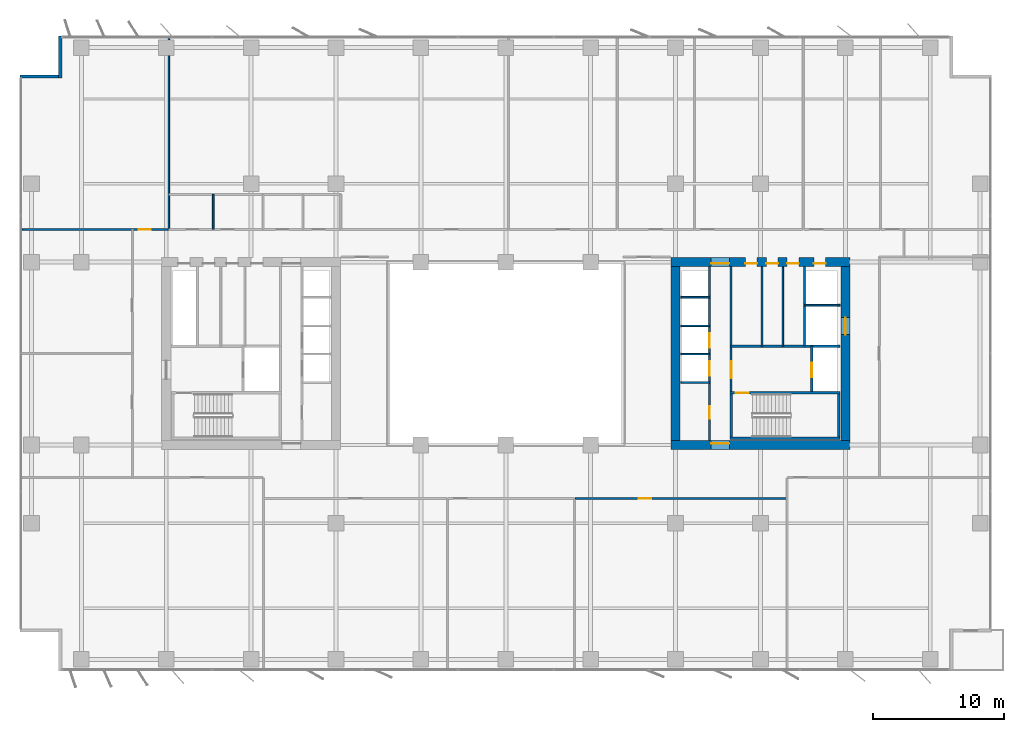
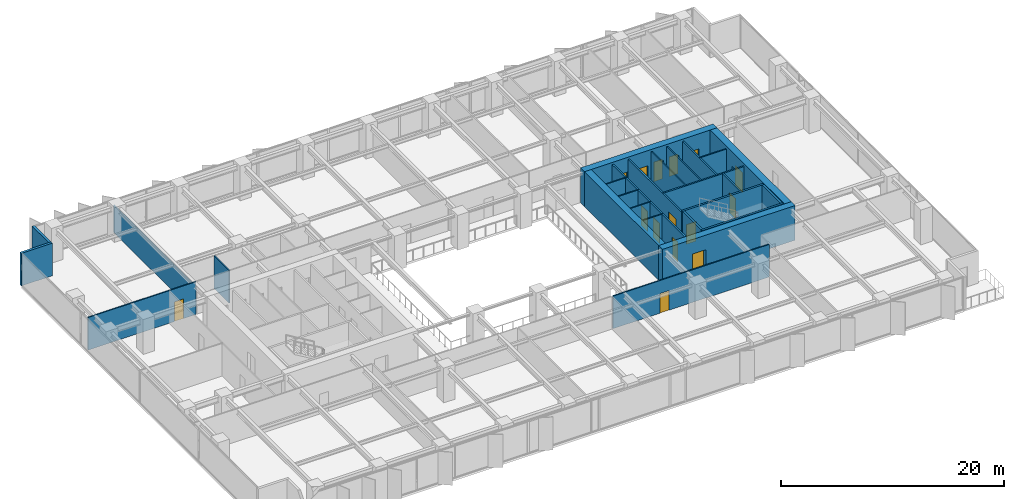
# One storey, part 14 of 20: 26 walls, 15 doors, 15 openings.
"""IFC4 building model written with IfcOpenShell, lengths in metres."""

import ifcopenshell
import ifcopenshell.guid

model = None  # the IFC model being written
_history = None  # IfcOwnerHistory: only IFC2X3 demands one
_inside = {}  # id of a spatial element -> (the spatial element, [elements in it])
_under = {}  # id of a project, library or spatial element -> (it, [spatial elements below it])
_declared = {}  # id of a project -> (the project, [libraries it declares])
_typed = {}  # id of a type object -> (the type object, [elements of that type])
_made_of = {}  # id of a material, layer set ... -> (it, [elements and type objects made of it])


def new_model(schema):
    """Start an empty IFC model of exactly this schema.

    Asked for "IFC4X3", IfcOpenShell would pick the latest addendum, in which some entities
    have other attributes; the version numbers below select the first issue.
    IFC2X3 requires an IfcOwnerHistory on every rooted entity: one is made here for all.
    """
    global model, _history
    if schema == "IFC4X3":
        model = ifcopenshell.file(schema_version=(4, 3, 0, 0))
    else:
        model = ifcopenshell.file(schema=schema)
    _inside.clear()
    _under.clear()
    _declared.clear()
    _typed.clear()
    _made_of.clear()
    _history = None
    if model.schema == "IFC2X3":
        org = make("IfcOrganization", Name="unknown")
        user = make(
            "IfcPersonAndOrganization",
            ThePerson=make("IfcPerson", FamilyName="unknown"),
            TheOrganization=org,
        )
        app = make(
            "IfcApplication",
            ApplicationDeveloper=org,
            Version="unknown",
            ApplicationFullName="unknown",
            ApplicationIdentifier="unknown",
        )
        _history = make(
            "IfcOwnerHistory",
            OwningUser=user,
            OwningApplication=app,
            ChangeAction="ADDED",
            CreationDate=0,
        )
    return model


def make(cls, **values):
    """One entity of the class cls with the attributes given. An attribute that is None is left unset."""
    return model.create_entity(
        cls, **{name: value for name, value in values.items() if value is not None}
    )


def rooted(cls, **values):
    """An entity with a GlobalId (a new one), such as an element, a storey or a relation."""
    return make(cls, GlobalId=ifcopenshell.guid.new(), OwnerHistory=_history, **values)


def si_unit(unit_type, name, prefix=None):
    """IfcSIUnit, for example si_unit("LENGTHUNIT", "METRE", prefix="MILLI")."""
    return make("IfcSIUnit", UnitType=unit_type, Prefix=prefix, Name=name)


def assignment(units):
    """IfcUnitAssignment: the units of a project."""
    return None if units is None else make("IfcUnitAssignment", Units=units)


def point(xyz):
    """IfcCartesianPoint."""
    return None if xyz is None else make("IfcCartesianPoint", Coordinates=xyz)


def direction(xyz):
    """IfcDirection."""
    return None if xyz is None else make("IfcDirection", DirectionRatios=xyz)


def frame(location, z_axis=None, x_axis=None):
    """IfcAxis2Placement3D, a coordinate frame: its origin and axes. An axis left out is left unset."""
    return make(
        "IfcAxis2Placement3D",
        Location=point(location),
        Axis=direction(z_axis),
        RefDirection=direction(x_axis),
    )


def frame_2d(location, x_axis=None):
    """IfcAxis2Placement2D, a coordinate frame in the plane: its origin and x axis."""
    return make(
        "IfcAxis2Placement2D", Location=point(location), RefDirection=direction(x_axis)
    )


def origin():
    """The frame at (0, 0, 0) with its axes left unset."""
    return frame((0.0, 0.0, 0.0))


def place(relative_to, where):
    """IfcLocalPlacement: puts the frame where relative to a parent placement (None: the world)."""
    return make(
        "IfcLocalPlacement", PlacementRelTo=relative_to, RelativePlacement=where
    )


def context(
    kind, dimensions, precision=None, world=None, true_north=None, identifier=None
):
    """IfcGeometricRepresentationContext, for example the 3D "Model" context."""
    return make(
        "IfcGeometricRepresentationContext",
        ContextIdentifier=identifier,
        ContextType=kind,
        CoordinateSpaceDimension=dimensions,
        Precision=precision,
        WorldCoordinateSystem=world,
        TrueNorth=true_north,
    )


def subcontext(parent, identifier, kind, view, scale=None):
    """IfcGeometricRepresentationSubContext, for example "Body" below "Model"."""
    return make(
        "IfcGeometricRepresentationSubContext",
        ContextIdentifier=identifier,
        ContextType=kind,
        ParentContext=parent,
        TargetScale=scale,
        TargetView=view,
    )


def project(units=None, contexts=None):
    """IfcProject with its units and contexts."""
    return rooted(
        "IfcProject",
        Name="project",
        RepresentationContexts=contexts,
        UnitsInContext=assignment(units),
    )


def spatial(cls, under=None, at=None, **own):
    """A site, building, storey or space (cls), placed at a placement, below another one or the project."""
    s = rooted(cls, ObjectPlacement=at, **own)
    if under is not None:
        _under.setdefault(under.id(), (under, []))[1].append(s)
    return s


def profile(cls, at=None, kind="AREA", **sizes):
    """A parametric profile (cls). Its sizes go by their IFC names, for example OverallWidth=200.0."""
    return make(cls, ProfileType=kind, Position=at, **sizes)


def rectangle(**sizes):
    """IfcRectangleProfileDef."""
    return profile("IfcRectangleProfileDef", **sizes)


def extrude(swept, where, along, depth):
    """IfcExtrudedAreaSolid: the profile swept, set in the frame where, extruded along a direction by depth."""
    return make(
        "IfcExtrudedAreaSolid",
        SweptArea=swept,
        Position=where,
        ExtrudedDirection=direction(along),
        Depth=depth,
    )


def shape(context_of_items, identifier, shape_type, items):
    """IfcShapeRepresentation: the items that make up one representation, for example the "Body"."""
    return make(
        "IfcShapeRepresentation",
        ContextOfItems=context_of_items,
        RepresentationIdentifier=identifier,
        RepresentationType=shape_type,
        Items=items,
    )


def material(Name=None, Category=None):
    """IfcMaterial."""
    return make("IfcMaterial", Name=Name, Category=Category)


def layer(
    of_material, thickness, ventilated=None, Name=None, Category=None, Priority=None
):
    """IfcMaterialLayer: one layer of a wall or slab, of a material (None: an air gap)."""
    return make(
        "IfcMaterialLayer",
        Material=of_material,
        LayerThickness=thickness,
        IsVentilated=ventilated,
        Name=Name,
        Category=Category,
        Priority=Priority,
    )


def layer_set(layers, Name=None):
    """IfcMaterialLayerSet."""
    return make("IfcMaterialLayerSet", MaterialLayers=layers, LayerSetName=Name)


def made_of(thing, what):
    """Note that an element or type object is made of a material, layer set ...; save() writes the relation."""
    if what is not None:
        _made_of.setdefault(what.id(), (what, []))[1].append(thing)
    return thing


def type_object(cls, material=None, **own):
    """A type object (cls), such as IfcWallType, which elements share."""
    return made_of(rooted(cls, **own), material)


def element(
    cls,
    number,
    at=None,
    inside=None,
    cuts=None,
    type_object=None,
    material=None,
    context=None,
    identifier="Body",
    shape_type=None,
    held_by="IfcProductDefinitionShape",
    body=None,
    shapes=None,
    **own,
):
    """One element of the class cls, such as IfcWall. Its Tag is "e" and its number.

    at: its placement. inside: the storey or other place that contains it. cuts: it is an
    opening in that element (IfcRelVoidsElement). A single representation is given by context,
    identifier, shape_type and body (its items); several are given by shapes. held_by: the class
    of the entity that holds the representations. save() writes the other relations.
    """
    e = rooted(cls, Tag="e%d" % number, ObjectPlacement=at, **own)
    if body is not None:
        shapes = [shape(context, identifier, shape_type, body)]
    if shapes is not None:
        e.Representation = make(held_by, Representations=shapes)
    if inside is not None:
        _inside.setdefault(inside.id(), (inside, []))[1].append(e)
    if cuts is not None:
        rooted(
            "IfcRelVoidsElement", RelatingBuildingElement=cuts, RelatedOpeningElement=e
        )
    if type_object is not None:
        _typed.setdefault(type_object.id(), (type_object, []))[1].append(e)
    return made_of(e, material)


def fill(opening, filler):
    """IfcRelFillsElement: the door or window that sits in an opening."""
    return rooted(
        "IfcRelFillsElement",
        RelatingOpeningElement=opening,
        RelatedBuildingElement=filler,
    )


def aggregate(whole, parts):
    """IfcRelAggregates: a whole, such as a stair, and the parts it consists of."""
    return rooted("IfcRelAggregates", RelatingObject=whole, RelatedObjects=parts)


def save(model, path):
    """Write the relations noted so far, then the file.

    IfcRelAggregates (storeys below a building ...), IfcRelContainedInSpatialStructure (elements
    in a storey), IfcRelDefinesByType, IfcRelAssociatesMaterial and IfcRelDeclares: one each for
    every whole, place, type object, material and project.
    """
    for whole, parts in _under.values():
        aggregate(whole, parts)
    for where, things in _inside.values():
        rooted(
            "IfcRelContainedInSpatialStructure",
            RelatedElements=things,
            RelatingStructure=where,
        )
    for kind, things in _typed.values():
        rooted("IfcRelDefinesByType", RelatedObjects=things, RelatingType=kind)
    for what, things in _made_of.values():
        rooted("IfcRelAssociatesMaterial", RelatedObjects=things, RelatingMaterial=what)
    for by, libraries in _declared.values():
        rooted("IfcRelDeclares", RelatingContext=by, RelatedDefinitions=libraries)
    model.write(path)


model = new_model("IFC4")

# Units and contexts
model_context = context("Model", 3, precision=1e-05, world=origin(), true_north=direction((0.0, 1.0)))
body_context = subcontext(model_context, "Body", "Model", "MODEL_VIEW")
ifc_project = project(units=[si_unit("LENGTHUNIT", "METRE"), si_unit("AREAUNIT", "SQUARE_METRE"), si_unit("VOLUMEUNIT", "CUBIC_METRE"), si_unit("PLANEANGLEUNIT", "RADIAN"), si_unit("MASSUNIT", "GRAM", prefix="KILO")], contexts=[model_context])

# Site, building, storey
site_placement = place(None, origin())
site = spatial("IfcSite", under=ifc_project, at=site_placement, CompositionType="ELEMENT")
building_placement = place(site_placement, origin())
building = spatial("IfcBuilding", under=site, at=building_placement, Name="Putna Gate Headquarters", CompositionType="ELEMENT")
storey_placement = place(building_placement, frame((0.0, 0.0, 108.800048828125)))
storey = spatial("IfcBuildingStorey", under=building, at=storey_placement, Name="L26", CompositionType="ELEMENT", Elevation=108.800048828125)

# Wall, opening, door
ifc_material_1 = material(Name="Concrete C60/75", Category="concrete")
ifc_layer_1 = layer(ifc_material_1, 0.699951171875)
ifc_layer_set_1 = layer_set([ifc_layer_1], Name="Concrete C60/75")
wall_type_1 = type_object("IfcWallType", Name="WALL-CORE-700", PredefinedType="SHEAR", material=ifc_layer_set_1)
wall_1_placement = place(storey_placement, frame((51.64990234375, 19.0, 0.0), z_axis=(0.0, 0.0, 1.0), x_axis=(1.0, 0.0, 0.0)))
wall_1 = element("IfcWall", 1, at=wall_1_placement, inside=storey, type_object=wall_type_1, Name="L26 EC Split Core Shear Wall S", PredefinedType="SHEAR", context=body_context, shape_type="SweptSolid", body=[
    extrude(rectangle(XDim=13.7001953125, YDim=0.699951171875, at=frame_2d((6.85009765625, 0.0))), origin(), (0.0, 0.0, 1.0), 3.800048828125),
])
opening_1_placement = place(wall_1_placement, frame((3.070068359375, 0.0, 0.0)))
opening_1 = element("IfcOpeningElement", 2, at=opening_1_placement, cuts=wall_1, Name="Opening FDD-140", PredefinedType="OPENING", context=body_context, shape_type="SweptSolid", body=[
    extrude(rectangle(XDim=1.39990234375, YDim=2.199951171875, at=frame_2d((0.699951171875, 1.10009765625))), frame((0.0, 0.35986328125, 0.0), z_axis=(0.0, -1.0, 0.0), x_axis=(1.0, 0.0, 0.0)), (0.0, 0.0, 1.0), 0.719970703125),
])
ifc_material_2 = material(Name="Double steel fire door", Category="steel")
door_type_1 = type_object("IfcDoorType", Name="DOOR-FIRE-DBL-1400", OperationType="DOUBLE_DOOR_SINGLE_SWING", PredefinedType="DOOR", material=ifc_material_2)
door_1_placement = place(opening_1_placement, origin())
door_1 = element("IfcDoor", 3, at=door_1_placement, inside=storey, type_object=door_type_1, Name="L26 East Lift Lobby South Door", OperationType="DOUBLE_DOOR_SINGLE_SWING", OverallHeight=2.199951171875, OverallWidth=1.39990234375, PredefinedType="DOOR", context=body_context, shape_type="SweptSolid", body=[
    extrude(rectangle(XDim=1.39990234375, YDim=2.199951171875, at=frame_2d((0.699951171875, 1.10009765625))), frame((0.0, 0.125, 0.0), z_axis=(0.0, -1.0, 0.0), x_axis=(1.0, 0.0, 0.0)), (0.0, 0.0, 1.0), 0.050048828125),
])
fill(opening_1, door_1)

# Wall, openings, doors
wall_2_placement = place(storey_placement, frame((51.64990234375, 33.0, 0.0), z_axis=(0.0, 0.0, 1.0), x_axis=(1.0, 0.0, 0.0)))
wall_2 = element("IfcWall", 4, at=wall_2_placement, inside=storey, type_object=wall_type_1, Name="L26 EC Split Core Shear Wall N", PredefinedType="SHEAR", context=body_context, shape_type="SweptSolid", body=[
    extrude(rectangle(XDim=13.7001953125, YDim=0.699951171875, at=frame_2d((6.85009765625, 0.0))), origin(), (0.0, 0.0, 1.0), 3.800048828125),
])
opening_2_placement = place(wall_2_placement, frame((3.070068359375, 0.0, 0.0)))
opening_2 = element("IfcOpeningElement", 5, at=opening_2_placement, cuts=wall_2, Name="Opening FDD-140", PredefinedType="OPENING", context=body_context, shape_type="SweptSolid", body=[
    extrude(rectangle(XDim=1.39990234375, YDim=2.199951171875, at=frame_2d((0.699951171875, 1.10009765625))), frame((0.0, 0.35986328125, 0.0), z_axis=(0.0, -1.0, 0.0), x_axis=(1.0, 0.0, 0.0)), (0.0, 0.0, 1.0), 0.719970703125),
])
opening_3_placement = place(wall_2_placement, frame((10.949951171875, 0.0, 0.0)))
opening_3 = element("IfcOpeningElement", 6, at=opening_3_placement, cuts=wall_2, Name="Opening RD-90", PredefinedType="OPENING", context=body_context, shape_type="SweptSolid", body=[
    extrude(rectangle(XDim=0.89990234375, YDim=2.14990234375, at=frame_2d((0.449951171875, 1.074951171875))), frame((0.0, 0.35986328125, 0.0), z_axis=(0.0, -1.0, 0.0), x_axis=(1.0, 0.0, 0.0)), (0.0, 0.0, 1.0), 0.719970703125),
])
opening_4_placement = place(wall_2_placement, frame((5.699951171875, 0.0, 0.0)))
opening_4 = element("IfcOpeningElement", 7, at=opening_4_placement, cuts=wall_2, Name="Opening IDS-90", PredefinedType="OPENING", context=body_context, shape_type="SweptSolid", body=[
    extrude(rectangle(XDim=0.89990234375, YDim=2.14990234375, at=frame_2d((0.449951171875, 1.074951171875))), frame((0.0, 0.35986328125, 0.0), z_axis=(0.0, -1.0, 0.0), x_axis=(1.0, 0.0, 0.0)), (0.0, 0.0, 1.0), 0.719970703125),
])
opening_5_placement = place(wall_2_placement, frame((7.300048828125, 0.0, 0.0)))
opening_5 = element("IfcOpeningElement", 8, at=opening_5_placement, cuts=wall_2, Name="Opening IDS-90", PredefinedType="OPENING", context=body_context, shape_type="SweptSolid", body=[
    extrude(rectangle(XDim=0.89990234375, YDim=2.14990234375, at=frame_2d((0.449951171875, 1.074951171875))), frame((0.0, 0.35986328125, 0.0), z_axis=(0.0, -1.0, 0.0), x_axis=(1.0, 0.0, 0.0)), (0.0, 0.0, 1.0), 0.719970703125),
])
opening_6_placement = place(wall_2_placement, frame((8.89990234375, 0.0, 0.0)))
opening_6 = element("IfcOpeningElement", 9, at=opening_6_placement, cuts=wall_2, Name="Opening IDS-90", PredefinedType="OPENING", context=body_context, shape_type="SweptSolid", body=[
    extrude(rectangle(XDim=0.89990234375, YDim=2.14990234375, at=frame_2d((0.449951171875, 1.074951171875))), frame((0.0, 0.35986328125, 0.0), z_axis=(0.0, -1.0, 0.0), x_axis=(1.0, 0.0, 0.0)), (0.0, 0.0, 1.0), 0.719970703125),
])
door_2_placement = place(opening_2_placement, origin())
door_2 = element("IfcDoor", 10, at=door_2_placement, inside=storey, type_object=door_type_1, Name="L26 East Lift Lobby North Door", OperationType="DOUBLE_DOOR_SINGLE_SWING", OverallHeight=2.199951171875, OverallWidth=1.39990234375, PredefinedType="DOOR", context=body_context, shape_type="SweptSolid", body=[
    extrude(rectangle(XDim=1.39990234375, YDim=2.199951171875, at=frame_2d((0.699951171875, 1.10009765625))), frame((0.0, -0.0751953125, 0.0), z_axis=(0.0, -1.0, 0.0), x_axis=(1.0, 0.0, 0.0)), (0.0, 0.0, 1.0), 0.050048828125),
])
fill(opening_2, door_2)
ifc_material_3 = material(Name="Fire-rated utility door")
door_type_2 = type_object("IfcDoorType", Name="DOOR-INT-900", OperationType="NOTDEFINED", PredefinedType="DOOR", material=ifc_material_3)
door_3_placement = place(opening_4_placement, origin())
door_3 = element("IfcDoor", 11, at=door_3_placement, inside=storey, type_object=door_type_2, Name="L26 East Cleaner Store Door", OperationType="SINGLE_SWING_RIGHT", OverallHeight=2.14990234375, OverallWidth=0.89990234375, PredefinedType="DOOR", context=body_context, shape_type="SweptSolid", body=[
    extrude(rectangle(XDim=0.89990234375, YDim=2.14990234375, at=frame_2d((0.449951171875, 1.074951171875))), frame((0.0, -0.0751953125, 0.0), z_axis=(0.0, -1.0, 0.0), x_axis=(1.0, 0.0, 0.0)), (0.0, 0.0, 1.0), 0.050048828125),
])
fill(opening_4, door_3)
door_4_placement = place(opening_5_placement, origin())
door_4 = element("IfcDoor", 12, at=door_4_placement, inside=storey, type_object=door_type_2, Name="L26 BMS Outstation Door", OperationType="SINGLE_SWING_LEFT", OverallHeight=2.14990234375, OverallWidth=0.89990234375, PredefinedType="DOOR", context=body_context, shape_type="SweptSolid", body=[
    extrude(rectangle(XDim=0.89990234375, YDim=2.14990234375, at=frame_2d((0.449951171875, 1.074951171875))), frame((0.0, -0.0751953125, 0.0), z_axis=(0.0, -1.0, 0.0), x_axis=(1.0, 0.0, 0.0)), (0.0, 0.0, 1.0), 0.050048828125),
])
fill(opening_5, door_4)
door_5_placement = place(opening_6_placement, origin())
door_5 = element("IfcDoor", 13, at=door_5_placement, inside=storey, type_object=door_type_2, Name="L26 Facilities Equipment Store Door", OperationType="SINGLE_SWING_RIGHT", OverallHeight=2.14990234375, OverallWidth=0.89990234375, PredefinedType="DOOR", context=body_context, shape_type="SweptSolid", body=[
    extrude(rectangle(XDim=0.89990234375, YDim=2.14990234375, at=frame_2d((0.449951171875, 1.074951171875))), frame((0.0, -0.0751953125, 0.0), z_axis=(0.0, -1.0, 0.0), x_axis=(1.0, 0.0, 0.0)), (0.0, 0.0, 1.0), 0.050048828125),
])
fill(opening_6, door_5)
ifc_material_4 = material(Name="Steel riser access fire door", Category="steel")
door_type_3 = type_object("IfcDoorType", Name="DOOR-RISER-900", OperationType="NOTDEFINED", PredefinedType="DOOR", material=ifc_material_4)
door_6_placement = place(opening_3_placement, origin())
door_6 = element("IfcDoor", 14, at=door_6_placement, inside=storey, type_object=door_type_3, Name="L26 East Riser Access Door", OperationType="SINGLE_SWING_LEFT", OverallHeight=2.14990234375, OverallWidth=0.89990234375, PredefinedType="DOOR", context=body_context, shape_type="SweptSolid", body=[
    extrude(rectangle(XDim=0.89990234375, YDim=2.14990234375, at=frame_2d((0.449951171875, 1.074951171875))), frame((0.0, -0.0751953125, 0.0), z_axis=(0.0, -1.0, 0.0), x_axis=(1.0, 0.0, 0.0)), (0.0, 0.0, 1.0), 0.050048828125),
])
fill(opening_3, door_6)

# Wall
wall_3_placement = place(storey_placement, frame((52.0, 19.35009765625, 0.0), z_axis=(0.0, 0.0, 1.0), x_axis=(0.0, 1.0, 0.0)))
element("IfcWall", 15, at=wall_3_placement, inside=storey, type_object=wall_type_1, Name="L26 EC Split Core Shear Wall W", PredefinedType="SHEAR", context=body_context, shape_type="SweptSolid", body=[
    extrude(rectangle(XDim=13.2998046875, YDim=0.699951171875, at=frame_2d((6.64990234375, 0.0))), origin(), (0.0, 0.0, 1.0), 3.800048828125),
])

# Wall, opening, door
wall_4_placement = place(storey_placement, frame((65.0, 19.35009765625, 0.0), z_axis=(0.0, 0.0, 1.0), x_axis=(0.0, 1.0, 0.0)))
wall_4 = element("IfcWall", 16, at=wall_4_placement, inside=storey, type_object=wall_type_1, Name="L26 EC Split Core Shear Wall E", PredefinedType="SHEAR", context=body_context, shape_type="SweptSolid", body=[
    extrude(rectangle(XDim=13.2998046875, YDim=0.699951171875, at=frame_2d((6.64990234375, 0.0))), origin(), (0.0, 0.0, 1.0), 3.800048828125),
])
opening_7_placement = place(wall_4_placement, frame((8.10009765625, 0.0, 0.0)))
opening_7 = element("IfcOpeningElement", 17, at=opening_7_placement, cuts=wall_4, Name="Opening LD-2", PredefinedType="OPENING", context=body_context, shape_type="SweptSolid", body=[
    extrude(rectangle(XDim=1.300048828125, YDim=2.199951171875, at=frame_2d((0.64990234375, 1.10009765625))), frame((0.0, 0.35986328125, 0.0), z_axis=(0.0, -1.0, 0.0), x_axis=(1.0, 0.0, 0.0)), (0.0, 0.0, 1.0), 0.719970703125),
])
ifc_material_5 = material(Name="Heavy-duty goods lift sliding landing door")
door_type_4 = type_object("IfcDoorType", Name="DOOR-LIFT-1300", OperationType="DOUBLE_DOOR_SLIDING", PredefinedType="DOOR", material=ifc_material_5)
door_7_placement = place(opening_7_placement, origin())
door_7 = element("IfcDoor", 18, at=door_7_placement, inside=storey, type_object=door_type_4, Name="L26 Goods Lift Landing Door LD-15", OperationType="DOUBLE_DOOR_SLIDING", OverallHeight=2.199951171875, OverallWidth=1.300048828125, PredefinedType="DOOR", context=body_context, shape_type="SweptSolid", body=[
    extrude(rectangle(XDim=1.300048828125, YDim=2.199951171875, at=frame_2d((0.64990234375, 1.10009765625))), frame((0.0, 0.02490234375, 0.0), z_axis=(0.0, -1.0, 0.0), x_axis=(1.0, 0.0, 0.0)), (0.0, 0.0, 1.0), 0.050048828125),
])
fill(opening_7, door_7)

# Walls
ifc_material_6 = material(Name="Precast concrete C40/50", Category="concrete")
ifc_layer_2 = layer(ifc_material_6, 0.239990234375)
ifc_layer_set_2 = layer_set([ifc_layer_2], Name="Precast concrete C40/50")
wall_type_2 = type_object("IfcWallType", Name="WALL-EXT-TERR-240", PredefinedType="STANDARD", material=ifc_layer_set_2)
for number, where, z_axis, x_axis, name in (
    (19, (4.8798828125, 47.10009765625, 0.0), (0.0, 0.0, 1.0), (0.0, 1.0, 0.0), "L26 Corner Notch Return Wall NW-V"),
    (20, (1.800048828125, 47.219970703125, 0.0), (0.0, 0.0, 1.0), (1.0, 0.0, 0.0), "L26 Corner Notch Return Wall NW-H"),
):
    element("IfcWall", number, at=place(storey_placement, frame(where, z_axis=z_axis, x_axis=x_axis)), inside=storey, type_object=wall_type_2, Name=name, PredefinedType="STANDARD", context=body_context, shape_type="SweptSolid", body=[
        extrude(rectangle(XDim=3.199951171875, YDim=0.239990234375, at=frame_2d((1.60009765625, 0.0))), origin(), (0.0, 0.0, 1.0), 3.56494140625),
    ])
ifc_material_7 = material(Name="Acoustic gypsum board on metal stud")
ifc_layer_3 = layer(ifc_material_7, 0.1201171875)
ifc_layer_set_3 = layer_set([ifc_layer_3], Name="Acoustic gypsum board on metal stud")
wall_type_3 = type_object("IfcWallType", Name="WALL-PART-120", PredefinedType="PARTITIONING", material=ifc_layer_set_3)
wall_5_placement = place(storey_placement, frame((13.199951171875, 35.56005859375, 0.0), z_axis=(0.0, 0.0, 1.0), x_axis=(0.0, 1.0, 0.0)))
element("IfcWall", 21, at=wall_5_placement, inside=storey, type_object=wall_type_3, Name="L26 Interior Wall PART-L26-NB-DIV-01", PredefinedType="PARTITIONING", context=body_context, shape_type="SweptSolid", body=[
    extrude(rectangle(XDim=14.719970703125, YDim=0.1201171875, at=frame_2d((7.35986328125, 0.0))), origin(), (0.0, 0.0, 1.0), 2.96484375),
])
ifc_material_8 = material(Name="Fire-rated shaftwall gypsum board on metal stud")
ifc_layer_4 = layer(ifc_material_8, 0.1201171875)
ifc_layer_set_4 = layer_set([ifc_layer_4], Name="Fire-rated shaftwall gypsum board on metal stud")
wall_type_4 = type_object("IfcWallType", Name="WALL-PART-120-EI120", PredefinedType="PARTITIONING", material=ifc_layer_set_4)
for number, where, z_axis, x_axis, name in (
    (22, (52.39990234375, 25.949951171875, 0.0), (0.0, 0.0, 1.0), (1.0, 0.0, 0.0), "L26 Interior Wall CWINT-L26-EC-LF07-DIV"),
    (23, (52.39990234375, 28.1201171875, 0.0), (0.0, 0.0, 1.0), (1.0, 0.0, 0.0), "L26 Interior Wall CWINT-L26-EC-LF08-DIV"),
    (24, (52.39990234375, 30.31005859375, 0.0), (0.0, 0.0, 1.0), (1.0, 0.0, 0.0), "L26 Interior Wall CWINT-L26-EC-LF11-DIV"),
):
    element("IfcWall", number, at=place(storey_placement, frame(where, z_axis=z_axis, x_axis=x_axis)), inside=storey, type_object=wall_type_4, Name=name, PredefinedType="PARTITIONING", context=body_context, shape_type="SweptSolid", body=[
        extrude(rectangle(XDim=2.2001953125, YDim=0.1201171875, at=frame_2d((1.10009765625, 0.0))), origin(), (0.0, 0.0, 1.0), 3.56494140625),
    ])
wall_6_placement = place(storey_placement, frame((61.8701171875, 29.699951171875, 0.0), z_axis=(0.0, 0.0, 1.0), x_axis=(1.0, 0.0, 0.0)))
element("IfcWall", 25, at=wall_6_placement, inside=storey, type_object=wall_type_4, Name="L26 Interior Wall CWINT-L26-EC-LF15-N", PredefinedType="PARTITIONING", context=body_context, shape_type="SweptSolid", body=[
    extrude(rectangle(XDim=2.72998046875, YDim=0.1201171875, at=frame_2d((1.364990234375, 0.0))), origin(), (0.0, 0.0, 1.0), 3.56494140625),
])
ifc_material_9 = material(Name="Fire-rated gypsum board on metal stud")
ifc_layer_5 = layer(ifc_material_9, 0.1201171875)
ifc_layer_set_5 = layer_set([ifc_layer_5], Name="Fire-rated gypsum board on metal stud")
wall_type_5 = type_object("IfcWallType", Name="WALL-PART-120-RATED", PredefinedType="PARTITIONING", material=ifc_layer_set_5)
wall_7_placement = place(storey_placement, frame((52.39990234375, 23.780029296875, 0.0), z_axis=(0.0, 0.0, 1.0), x_axis=(1.0, 0.0, 0.0)))
element("IfcWall", 26, at=wall_7_placement, inside=storey, type_object=wall_type_5, Name="L26 Interior Wall CWINT-L26-EC-LF04-DIV", PredefinedType="PARTITIONING", context=body_context, shape_type="SweptSolid", body=[
    extrude(rectangle(XDim=2.2001953125, YDim=0.1201171875, at=frame_2d((1.10009765625, 0.0))), origin(), (0.0, 0.0, 1.0), 3.56494140625),
])
for number, where, z_axis, x_axis, name in (
    (27, (58.6201171875, 26.56005859375, 0.0), (0.0, 0.0, 1.0), (0.0, 1.0, 0.0), "L26 Interior Wall CWINT-L26-EC-K2-D1"),
    (28, (60.219970703125, 26.56005859375, 0.0), (0.0, 0.0, 1.0), (0.0, 1.0, 0.0), "L26 Interior Wall CWINT-L26-EC-K2-D2"),
):
    element("IfcWall", number, at=place(storey_placement, frame(where, z_axis=z_axis, x_axis=x_axis)), inside=storey, type_object=wall_type_5, Name=name, PredefinedType="PARTITIONING", context=body_context, shape_type="SweptSolid", body=[
        extrude(rectangle(XDim=6.08984375, YDim=0.1201171875, at=frame_2d((3.044921875, 0.0))), origin(), (0.0, 0.0, 1.0), 3.56494140625),
    ])
wall_8_placement = place(storey_placement, frame((16.60009765625, 35.5, 0.0), z_axis=(0.0, 0.0, 1.0), x_axis=(0.0, 1.0, 0.0)))
element("IfcWall", 29, at=wall_8_placement, inside=storey, type_object=wall_type_5, Name="L26 Interior Wall PART-L26-SAN-DIV-1", PredefinedType="PARTITIONING", context=body_context, shape_type="SweptSolid", body=[
    extrude(rectangle(XDim=2.679931640625, YDim=0.1201171875, at=frame_2d((1.33984375, 0.0))), origin(), (0.0, 0.0, 1.0), 3.56494140625),
])

# Wall, opening, door
wall_9_placement = place(storey_placement, frame((1.97998046875, 35.5, 0.0), z_axis=(0.0, 0.0, 1.0), x_axis=(1.0, 0.0, 0.0)))
wall_9 = element("IfcWall", 30, at=wall_9_placement, inside=storey, type_object=wall_type_5, Name="L26 Interior Wall PART-L26-NB-CW-01", PredefinedType="PARTITIONING", context=body_context, shape_type="SweptSolid", body=[
    extrude(rectangle(XDim=11.159912109375, YDim=0.1201171875, at=frame_2d((5.580078125, 0.0))), origin(), (0.0, 0.0, 1.0), 3.56494140625),
])
opening_8_placement = place(wall_9_placement, frame((8.89990234375, 0.0, 0.0)))
opening_8 = element("IfcOpeningElement", 31, at=opening_8_placement, cuts=wall_9, Name="Opening FD-95", PredefinedType="OPENING", context=body_context, shape_type="SweptSolid", body=[
    extrude(rectangle(XDim=0.949951171875, YDim=2.14990234375, at=frame_2d((0.47509765625, 1.074951171875))), frame((0.0, 0.070068359375, 0.0), z_axis=(0.0, -1.0, 0.0), x_axis=(1.0, 0.0, 0.0)), (0.0, 0.0, 1.0), 0.14013671875),
])
ifc_material_10 = material(Name="Acoustic timber fire door", Category="wood")
door_type_5 = type_object("IfcDoorType", Name="DOOR-FIRE-950", OperationType="NOTDEFINED", PredefinedType="DOOR", material=ifc_material_10)
door_8_placement = place(opening_8_placement, origin())
door_8 = element("IfcDoor", 32, at=door_8_placement, inside=storey, type_object=door_type_5, Name="L26 Quiet Wellness Focus Studio 1 Door", OperationType="SINGLE_SWING_LEFT", OverallHeight=2.14990234375, OverallWidth=0.949951171875, PredefinedType="DOOR", context=body_context, shape_type="SweptSolid", body=[
    extrude(rectangle(XDim=0.949951171875, YDim=2.14990234375, at=frame_2d((0.47509765625, 1.074951171875))), frame((0.0, 0.02490234375, 0.0), z_axis=(0.0, -1.0, 0.0), x_axis=(1.0, 0.0, 0.0)), (0.0, 0.0, 1.0), 0.050048828125),
])
fill(opening_8, door_8)

wall_10_placement = place(storey_placement, frame((44.33154296875, 14.89990234375, 0.0), z_axis=(0.0, 0.0, 1.0), x_axis=(1.0, 0.0, 0.0)))
wall_10 = element("IfcWall", 33, at=wall_10_placement, inside=storey, type_object=wall_type_5, Name="L26 Interior Wall PART-L26-SB-CW-04", PredefinedType="PARTITIONING", context=body_context, shape_type="SweptSolid", body=[
    extrude(rectangle(XDim=16.154052734375, YDim=0.1201171875, at=frame_2d((8.0771484375, 0.0))), origin(), (0.0, 0.0, 1.0), 3.56494140625),
])
opening_9_placement = place(wall_10_placement, frame((4.84619140625, 0.0, 0.0)))
opening_9 = element("IfcOpeningElement", 34, at=opening_9_placement, cuts=wall_10, Name="Opening FD-95", PredefinedType="OPENING", context=body_context, shape_type="SweptSolid", body=[
    extrude(rectangle(XDim=0.949951171875, YDim=2.14990234375, at=frame_2d((0.47509765625, 1.074951171875))), frame((0.0, 0.070068359375, 0.0), z_axis=(0.0, -1.0, 0.0), x_axis=(1.0, 0.0, 0.0)), (0.0, 0.0, 1.0), 0.14013671875),
])
door_9_placement = place(opening_9_placement, origin())
door_9 = element("IfcDoor", 35, at=door_9_placement, inside=storey, type_object=door_type_5, Name="L26 Collaborative Breakout Lounge 3 Door", OperationType="SINGLE_SWING_LEFT", OverallHeight=2.14990234375, OverallWidth=0.949951171875, PredefinedType="DOOR", context=body_context, shape_type="SweptSolid", body=[
    extrude(rectangle(XDim=0.949951171875, YDim=2.14990234375, at=frame_2d((0.47509765625, 1.074951171875))), frame((0.0, 0.02490234375, 0.0), z_axis=(0.0, -1.0, 0.0), x_axis=(1.0, 0.0, 0.0)), (0.0, 0.0, 1.0), 0.050048828125),
])
fill(opening_9, door_9)

# Wall, openings, doors
ifc_material_11 = material(Name="Concrete C40/50", Category="concrete")
ifc_layer_6 = layer(ifc_material_11, 0.159912109375)
ifc_layer_set_6 = layer_set([ifc_layer_6], Name="Concrete C40/50")
wall_type_6 = type_object("IfcWallType", Name="WALL-SHAFT-160", PredefinedType="STANDARD", material=ifc_layer_set_6)
wall_11_placement = place(storey_placement, frame((54.60009765625, 19.35009765625, 0.0), z_axis=(0.0, 0.0, 1.0), x_axis=(0.0, 1.0, 0.0)))
wall_11 = element("IfcWall", 36, at=wall_11_placement, inside=storey, type_object=wall_type_6, Name="L26 Interior Wall CWINT-L26-EC-PL-WALL", PredefinedType="STANDARD", context=body_context, shape_type="SweptSolid", body=[
    extrude(rectangle(XDim=13.2998046875, YDim=0.159912109375, at=frame_2d((6.64990234375, 0.0))), origin(), (0.0, 0.0, 1.0), 3.56494140625),
])
opening_10_placement = place(wall_11_placement, frame((1.64990234375, 0.0, 0.0)))
opening_10 = element("IfcOpeningElement", 37, at=opening_10_placement, cuts=wall_11, Name="Opening IDS-95", PredefinedType="OPENING", context=body_context, shape_type="SweptSolid", body=[
    extrude(rectangle(XDim=0.949951171875, YDim=2.14990234375, at=frame_2d((0.47509765625, 1.074951171875))), frame((0.0, 0.08984375, 0.0), z_axis=(0.0, -1.0, 0.0), x_axis=(1.0, 0.0, 0.0)), (0.0, 0.0, 1.0), 0.179931640625),
])
opening_11_placement = place(wall_11_placement, frame((4.949951171875, 0.0, 0.0)))
opening_11 = element("IfcOpeningElement", 38, at=opening_11_placement, cuts=wall_11, Name="Opening LD-1", PredefinedType="OPENING", context=body_context, shape_type="SweptSolid", body=[
    extrude(rectangle(XDim=1.10009765625, YDim=2.199951171875, at=frame_2d((0.550048828125, 1.10009765625))), frame((0.0, 0.08984375, 0.0), z_axis=(0.0, -1.0, 0.0), x_axis=(1.0, 0.0, 0.0)), (0.0, 0.0, 1.0), 0.179931640625),
])
opening_12_placement = place(wall_11_placement, frame((7.10009765625, 0.0, 0.0)))
opening_12 = element("IfcOpeningElement", 39, at=opening_12_placement, cuts=wall_11, Name="Opening LD-1", PredefinedType="OPENING", context=body_context, shape_type="SweptSolid", body=[
    extrude(rectangle(XDim=1.10009765625, YDim=2.199951171875, at=frame_2d((0.550048828125, 1.10009765625))), frame((0.0, 0.08984375, 0.0), z_axis=(0.0, -1.0, 0.0), x_axis=(1.0, 0.0, 0.0)), (0.0, 0.0, 1.0), 0.179931640625),
])
ifc_material_12 = material(Name="Fire-rated service timber door", Category="wood")
door_type_6 = type_object("IfcDoorType", Name="DOOR-INT-950", OperationType="NOTDEFINED", PredefinedType="DOOR", material=ifc_material_12)
door_10_placement = place(opening_10_placement, origin())
door_10 = element("IfcDoor", 40, at=door_10_placement, inside=storey, type_object=door_type_6, Name="L26 Stationery Store Door", OperationType="SINGLE_SWING_RIGHT", OverallHeight=2.14990234375, OverallWidth=0.949951171875, PredefinedType="DOOR", context=body_context, shape_type="SweptSolid", body=[
    extrude(rectangle(XDim=0.949951171875, YDim=2.14990234375, at=frame_2d((0.47509765625, 1.074951171875))), frame((0.0, 0.02490234375, 0.0), z_axis=(0.0, -1.0, 0.0), x_axis=(1.0, 0.0, 0.0)), (0.0, 0.0, 1.0), 0.050048828125),
])
fill(opening_10, door_10)
ifc_material_13 = material(Name="Brushed bronze stainless lift landing door")
door_type_7 = type_object("IfcDoorType", Name="DOOR-LIFT-1100", OperationType="DOUBLE_DOOR_SLIDING", PredefinedType="DOOR", material=ifc_material_13)
door_11_placement = place(opening_11_placement, origin())
door_11 = element("IfcDoor", 41, at=door_11_placement, inside=storey, type_object=door_type_7, Name="L26 Lift Landing Door LD-07", OperationType="DOUBLE_DOOR_SLIDING", OverallHeight=2.199951171875, OverallWidth=1.10009765625, PredefinedType="DOOR", context=body_context, shape_type="SweptSolid", body=[
    extrude(rectangle(XDim=1.10009765625, YDim=2.199951171875, at=frame_2d((0.550048828125, 1.10009765625))), frame((0.0, 0.02490234375, 0.0), z_axis=(0.0, -1.0, 0.0), x_axis=(1.0, 0.0, 0.0)), (0.0, 0.0, 1.0), 0.050048828125),
])
fill(opening_11, door_11)
door_12_placement = place(opening_12_placement, origin())
door_12 = element("IfcDoor", 42, at=door_12_placement, inside=storey, type_object=door_type_7, Name="L26 Lift Landing Door LD-08", OperationType="DOUBLE_DOOR_SLIDING", OverallHeight=2.199951171875, OverallWidth=1.10009765625, PredefinedType="DOOR", context=body_context, shape_type="SweptSolid", body=[
    extrude(rectangle(XDim=1.10009765625, YDim=2.199951171875, at=frame_2d((0.550048828125, 1.10009765625))), frame((0.0, 0.02490234375, 0.0), z_axis=(0.0, -1.0, 0.0), x_axis=(1.0, 0.0, 0.0)), (0.0, 0.0, 1.0), 0.050048828125),
])
fill(opening_12, door_12)

# Wall, opening, door
wall_12_placement = place(storey_placement, frame((56.260009765625, 23.090087890625, 0.0), z_axis=(0.0, 0.0, 1.0), x_axis=(0.0, 1.0, 0.0)))
wall_12 = element("IfcWall", 43, at=wall_12_placement, inside=storey, type_object=wall_type_6, Name="L26 Interior Wall CWINT-L26-EC-LOB-E", PredefinedType="STANDARD", context=body_context, shape_type="SweptSolid", body=[
    extrude(rectangle(XDim=9.559814453125, YDim=0.159912109375, at=frame_2d((4.77978515625, 0.0))), origin(), (0.0, 0.0, 1.0), 3.56494140625),
])
opening_13_placement = place(wall_12_placement, frame((1.010009765625, 0.0, 0.0)))
opening_13 = element("IfcOpeningElement", 44, at=opening_13_placement, cuts=wall_12, Name="Opening FDD-130", PredefinedType="OPENING", context=body_context, shape_type="SweptSolid", body=[
    extrude(rectangle(XDim=1.300048828125, YDim=2.199951171875, at=frame_2d((0.64990234375, 1.10009765625))), frame((0.0, 0.08984375, 0.0), z_axis=(0.0, -1.0, 0.0), x_axis=(1.0, 0.0, 0.0)), (0.0, 0.0, 1.0), 0.179931640625),
])
ifc_material_14 = material(Name="Double steel lobby fire door", Category="steel")
door_type_8 = type_object("IfcDoorType", Name="DOOR-FIRE-DBL-1300", OperationType="DOUBLE_DOOR_SINGLE_SWING", PredefinedType="DOOR", material=ifc_material_14)
door_13_placement = place(opening_13_placement, origin())
door_13 = element("IfcDoor", 45, at=door_13_placement, inside=storey, type_object=door_type_8, Name="L26 East Firefighting Lobby Door", OperationType="DOUBLE_DOOR_SINGLE_SWING", OverallHeight=2.199951171875, OverallWidth=1.300048828125, PredefinedType="DOOR", context=body_context, shape_type="SweptSolid", body=[
    extrude(rectangle(XDim=1.300048828125, YDim=2.199951171875, at=frame_2d((0.64990234375, 1.10009765625))), frame((0.0, 0.02490234375, 0.0), z_axis=(0.0, -1.0, 0.0), x_axis=(1.0, 0.0, 0.0)), (0.0, 0.0, 1.0), 0.050048828125),
])
fill(opening_13, door_13)

wall_13_placement = place(storey_placement, frame((62.429931640625, 23.090087890625, 0.0), z_axis=(0.0, 0.0, 1.0), x_axis=(0.0, 1.0, 0.0)))
wall_13 = element("IfcWall", 46, at=wall_13_placement, inside=storey, type_object=wall_type_6, Name="L26 Interior Wall CWINT-L26-EC-LF14-W", PredefinedType="STANDARD", context=body_context, shape_type="SweptSolid", body=[
    extrude(rectangle(XDim=3.469970703125, YDim=0.159912109375, at=frame_2d((1.73486328125, 0.0))), origin(), (0.0, 0.0, 1.0), 3.56494140625),
])
opening_14_placement = place(wall_13_placement, frame((1.10009765625, 0.0, 0.0)))
opening_14 = element("IfcOpeningElement", 47, at=opening_14_placement, cuts=wall_13, Name="Opening LD-1", PredefinedType="OPENING", context=body_context, shape_type="SweptSolid", body=[
    extrude(rectangle(XDim=1.10009765625, YDim=2.199951171875, at=frame_2d((0.550048828125, 1.10009765625))), frame((0.0, 0.08984375, 0.0), z_axis=(0.0, -1.0, 0.0), x_axis=(1.0, 0.0, 0.0)), (0.0, 0.0, 1.0), 0.179931640625),
])
door_14_placement = place(opening_14_placement, origin())
door_14 = element("IfcDoor", 48, at=door_14_placement, inside=storey, type_object=door_type_7, Name="L26 Lift Landing Door LD-14", OperationType="DOUBLE_DOOR_SLIDING", OverallHeight=2.199951171875, OverallWidth=1.10009765625, PredefinedType="DOOR", context=body_context, shape_type="SweptSolid", body=[
    extrude(rectangle(XDim=1.10009765625, YDim=2.199951171875, at=frame_2d((0.550048828125, 1.10009765625))), frame((0.0, 0.02490234375, 0.0), z_axis=(0.0, -1.0, 0.0), x_axis=(1.0, 0.0, 0.0)), (0.0, 0.0, 1.0), 0.050048828125),
])
fill(opening_14, door_14)

# Walls
wall_14_placement = place(storey_placement, frame((56.260009765625, 26.56005859375, 0.0), z_axis=(0.0, 0.0, 1.0), x_axis=(1.0, 0.0, 0.0)))
element("IfcWall", 49, at=wall_14_placement, inside=storey, type_object=wall_type_6, Name="L26 Interior Wall CWINT-L26-EC-FFL-N", PredefinedType="STANDARD", context=body_context, shape_type="SweptSolid", body=[
    extrude(rectangle(XDim=8.340087890625, YDim=0.159912109375, at=frame_2d((4.169921875, 0.0))), origin(), (0.0, 0.0, 1.0), 3.56494140625),
])
wall_15_placement = place(storey_placement, frame((61.8701171875, 26.56005859375, 0.0), z_axis=(0.0, 0.0, 1.0), x_axis=(0.0, 1.0, 0.0)))
element("IfcWall", 50, at=wall_15_placement, inside=storey, type_object=wall_type_6, Name="L26 Interior Wall CWINT-L26-EC-LF15-W", PredefinedType="STANDARD", context=body_context, shape_type="SweptSolid", body=[
    extrude(rectangle(XDim=6.08984375, YDim=0.159912109375, at=frame_2d((3.044921875, 0.0))), origin(), (0.0, 0.0, 1.0), 3.56494140625),
])
ifc_layer_7 = layer(ifc_material_11, 0.199951171875)
ifc_layer_set_7 = layer_set([ifc_layer_7], Name="Concrete C40/50")
wall_type_7 = type_object("IfcWallType", Name="WALL-SHAFT-RC200", PredefinedType="SHEAR", material=ifc_layer_set_7)
wall_16_placement = place(storey_placement, frame((56.159912109375, 19.510009765625, 0.0), z_axis=(0.0, 0.0, 1.0), x_axis=(1.0, 0.0, 0.0)))
element("IfcWall", 51, at=wall_16_placement, inside=storey, type_object=wall_type_7, Name="L26 Stair ST2 Structural Shaft Wall S", PredefinedType="SHEAR", context=body_context, shape_type="SweptSolid", body=[
    extrude(rectangle(XDim=8.43017578125, YDim=0.199951171875, at=frame_2d((4.215087890625, 0.0))), origin(), (0.0, 0.0, 1.0), 3.800048828125),
])

# Wall, opening, door
wall_17_placement = place(storey_placement, frame((56.159912109375, 22.989990234375, 0.0), z_axis=(0.0, 0.0, 1.0), x_axis=(1.0, 0.0, 0.0)))
wall_17 = element("IfcWall", 52, at=wall_17_placement, inside=storey, type_object=wall_type_7, Name="L26 Stair ST2 Structural Shaft Wall N", PredefinedType="SHEAR", context=body_context, shape_type="SweptSolid", body=[
    extrude(rectangle(XDim=8.43017578125, YDim=0.199951171875, at=frame_2d((4.215087890625, 0.0))), origin(), (0.0, 0.0, 1.0), 3.800048828125),
])
opening_15_placement = place(wall_17_placement, frame((0.449951171875, 0.0, 0.0)))
opening_15 = element("IfcOpeningElement", 53, at=opening_15_placement, cuts=wall_17, Name="Opening FD-100", PredefinedType="OPENING", context=body_context, shape_type="SweptSolid", body=[
    extrude(rectangle(XDim=1.0, YDim=2.14990234375, at=frame_2d((0.5, 1.074951171875))), frame((0.0, 0.10986328125, 0.0), z_axis=(0.0, -1.0, 0.0), x_axis=(1.0, 0.0, 0.0)), (0.0, 0.0, 1.0), 0.219970703125),
])
ifc_material_15 = material(Name="Powder-coated steel fire door", Category="steel")
door_type_9 = type_object("IfcDoorType", Name="DOOR-FIRE-1000", OperationType="NOTDEFINED", PredefinedType="DOOR", material=ifc_material_15)
door_15_placement = place(opening_15_placement, origin())
door_15 = element("IfcDoor", 54, at=door_15_placement, inside=storey, type_object=door_type_9, Name="L26 Stair ST2 Fire Door", OperationType="SINGLE_SWING_RIGHT", OverallHeight=2.14990234375, OverallWidth=1.0, PredefinedType="DOOR", context=body_context, shape_type="SweptSolid", body=[
    extrude(rectangle(XDim=1.0, YDim=2.14990234375, at=frame_2d((0.5, 1.074951171875))), frame((0.0, 0.02490234375, 0.0), z_axis=(0.0, -1.0, 0.0), x_axis=(1.0, 0.0, 0.0)), (0.0, 0.0, 1.0), 0.050048828125),
])
fill(opening_15, door_15)

# Walls
for number, where, z_axis, x_axis, name in (
    (55, (56.260009765625, 19.610107421875, 0.0), (0.0, 0.0, 1.0), (0.0, 1.0, 0.0), "L26 Stair ST2 Structural Shaft Wall W"),
    (56, (64.489990234375, 19.610107421875, 0.0), (0.0, 0.0, 1.0), (0.0, 1.0, 0.0), "L26 Stair ST2 Structural Shaft Wall E"),
):
    element("IfcWall", number, at=place(storey_placement, frame(where, z_axis=z_axis, x_axis=x_axis)), inside=storey, type_object=wall_type_7, Name=name, PredefinedType="SHEAR", context=body_context, shape_type="SweptSolid", body=[
        extrude(rectangle(XDim=3.27978515625, YDim=0.199951171875, at=frame_2d((1.639892578125, 0.0))), origin(), (0.0, 0.0, 1.0), 3.800048828125),
    ])

save(model, "model.ifc")
